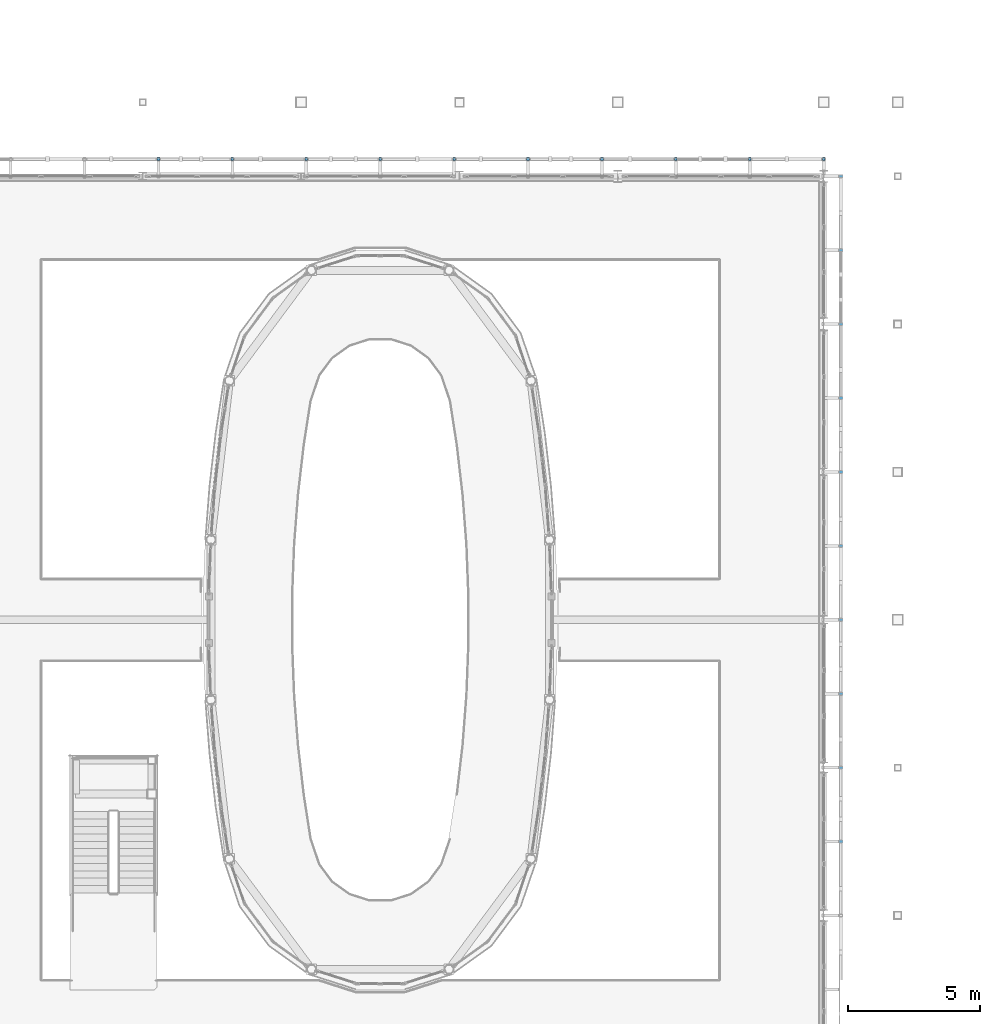
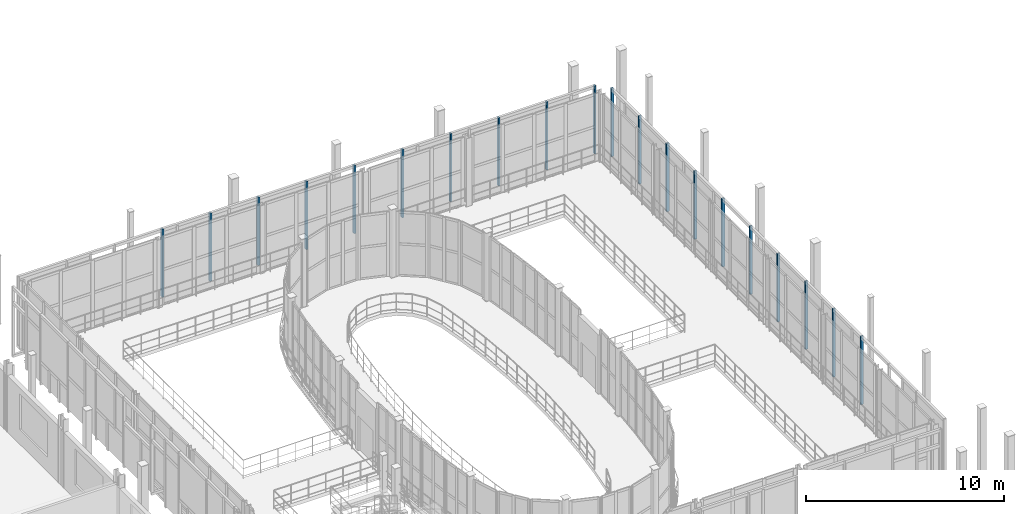
# One storey, part 127 of 138: 20 discrete accessories.
"""IFC4 building model written with IfcOpenShell, lengths in metres."""

from ifc_helpers import new_model, si_unit, direction, frame, origin, origin_2d, place, context, subcontext, project, spatial, rectangle, extrude, material, type_object, element, save


model = new_model("IFC4")

# Units and contexts
model_context = context("Model", 3, precision=1e-05, world=origin(), true_north=direction((0.0, 1.0)))
body_context = subcontext(model_context, "Body", "Model", "MODEL_VIEW")
ifc_project = project(units=[si_unit("LENGTHUNIT", "METRE"), si_unit("AREAUNIT", "SQUARE_METRE"), si_unit("VOLUMEUNIT", "CUBIC_METRE"), si_unit("PLANEANGLEUNIT", "RADIAN"), si_unit("MASSUNIT", "GRAM", prefix="KILO")], contexts=[model_context])

# Site, building, storey
site_placement = place(None, origin())
site = spatial("IfcSite", under=ifc_project, at=site_placement, CompositionType="ELEMENT")
building_placement = place(site_placement, origin())
building = spatial("IfcBuilding", under=site, at=building_placement, Name="Vinh Khe Railworks Police Headquarters", CompositionType="ELEMENT")
storey_placement = place(building_placement, frame((0.0, 0.0, 9.0)))
storey = spatial("IfcBuildingStorey", under=building, at=storey_placement, Name="L02", CompositionType="ELEMENT", Elevation=9.0)

# Discrete accessories
ifc_material = material(Name="Steel S355JR", Category="steel")
discrete_accessory_type = type_object("IfcDiscreteAccessoryType", Name="SCR-MULL-RHS150", PredefinedType="BRACKET", material=ifc_material)
for number, where, z_axis, x_axis, name in (
    (1, (34.800048828125, 59.449951171875, 0.0), (0.0, 0.0, 1.0), (1.0, 0.0, 0.0), "Patchwork Screen Vertical Support Channel N-4 L02"),
    (2, (37.60009765625, 59.449951171875, 0.0), (0.0, 0.0, 1.0), (1.0, 0.0, 0.0), "Patchwork Screen Vertical Support Channel N-5 L02"),
    (3, (40.39990234375, 59.449951171875, 0.0), (0.0, 0.0, 1.0), (1.0, 0.0, 0.0), "Patchwork Screen Vertical Support Channel N-6 L02"),
    (4, (43.199951171875, 59.449951171875, 0.0), (0.0, 0.0, 1.0), (1.0, 0.0, 0.0), "Patchwork Screen Vertical Support Channel N-7 L02"),
    (5, (46.0, 59.449951171875, 0.0), (0.0, 0.0, 1.0), (1.0, 0.0, 0.0), "Patchwork Screen Vertical Support Channel N-8 L02"),
    (6, (48.800048828125, 59.449951171875, 0.0), (0.0, 0.0, 1.0), (1.0, 0.0, 0.0), "Patchwork Screen Vertical Support Channel N-9 L02"),
    (7, (51.60009765625, 59.449951171875, 0.0), (0.0, 0.0, 1.0), (1.0, 0.0, 0.0), "Patchwork Screen Vertical Support Channel N-10 L02"),
    (8, (54.39990234375, 59.449951171875, 0.0), (0.0, 0.0, 1.0), (1.0, 0.0, 0.0), "Patchwork Screen Vertical Support Channel N-11 L02"),
    (9, (57.199951171875, 59.449951171875, 0.0), (0.0, 0.0, 1.0), (1.0, 0.0, 0.0), "Patchwork Screen Vertical Support Channel N-12 L02"),
    (10, (60.0, 59.449951171875, 0.0), (0.0, 0.0, 1.0), (1.0, 0.0, 0.0), "Patchwork Screen Vertical Support Channel N-13 L02"),
):
    element("IfcDiscreteAccessory", number, at=place(storey_placement, frame(where, z_axis=z_axis, x_axis=x_axis)), inside=storey, type_object=discrete_accessory_type, Name=name, PredefinedType="BRACKET", context=body_context, shape_type="SweptSolid", body=[
        extrude(rectangle(XDim=0.10009765625, YDim=0.14990234375, at=origin_2d()), origin(), (0.0, 0.0, 1.0), 4.199951171875),
    ])
for number, where, z_axis, x_axis, name in (
    (11, (60.64990234375, 33.60009765625, 0.0), (0.0, 0.0, 1.0), (1.0, 0.0, 0.0), "Patchwork Screen Vertical Support Channel E-4 L02"),
    (12, (60.64990234375, 36.39990234375, 0.0), (0.0, 0.0, 1.0), (1.0, 0.0, 0.0), "Patchwork Screen Vertical Support Channel E-5 L02"),
    (13, (60.64990234375, 39.199951171875, 0.0), (0.0, 0.0, 1.0), (1.0, 0.0, 0.0), "Patchwork Screen Vertical Support Channel E-6 L02"),
    (14, (60.64990234375, 42.0, 0.0), (0.0, 0.0, 1.0), (1.0, 0.0, 0.0), "Patchwork Screen Vertical Support Channel E-7 L02"),
    (15, (60.64990234375, 44.800048828125, 0.0), (0.0, 0.0, 1.0), (1.0, 0.0, 0.0), "Patchwork Screen Vertical Support Channel E-8 L02"),
    (16, (60.64990234375, 47.60009765625, 0.0), (0.0, 0.0, 1.0), (1.0, 0.0, 0.0), "Patchwork Screen Vertical Support Channel E-9 L02"),
    (17, (60.64990234375, 50.39990234375, 0.0), (0.0, 0.0, 1.0), (1.0, 0.0, 0.0), "Patchwork Screen Vertical Support Channel E-10 L02"),
    (18, (60.64990234375, 53.199951171875, 0.0), (0.0, 0.0, 1.0), (1.0, 0.0, 0.0), "Patchwork Screen Vertical Support Channel E-11 L02"),
    (19, (60.64990234375, 56.0, 0.0), (0.0, 0.0, 1.0), (1.0, 0.0, 0.0), "Patchwork Screen Vertical Support Channel E-12 L02"),
    (20, (60.64990234375, 58.800048828125, 0.0), (0.0, 0.0, 1.0), (1.0, 0.0, 0.0), "Patchwork Screen Vertical Support Channel E-13 L02"),
):
    element("IfcDiscreteAccessory", number, at=place(storey_placement, frame(where, z_axis=z_axis, x_axis=x_axis)), inside=storey, type_object=discrete_accessory_type, Name=name, PredefinedType="BRACKET", context=body_context, shape_type="SweptSolid", body=[
        extrude(rectangle(XDim=0.14990234375, YDim=0.10009765625, at=origin_2d()), origin(), (0.0, 0.0, 1.0), 4.199951171875),
    ])

save(model, "model.ifc")
